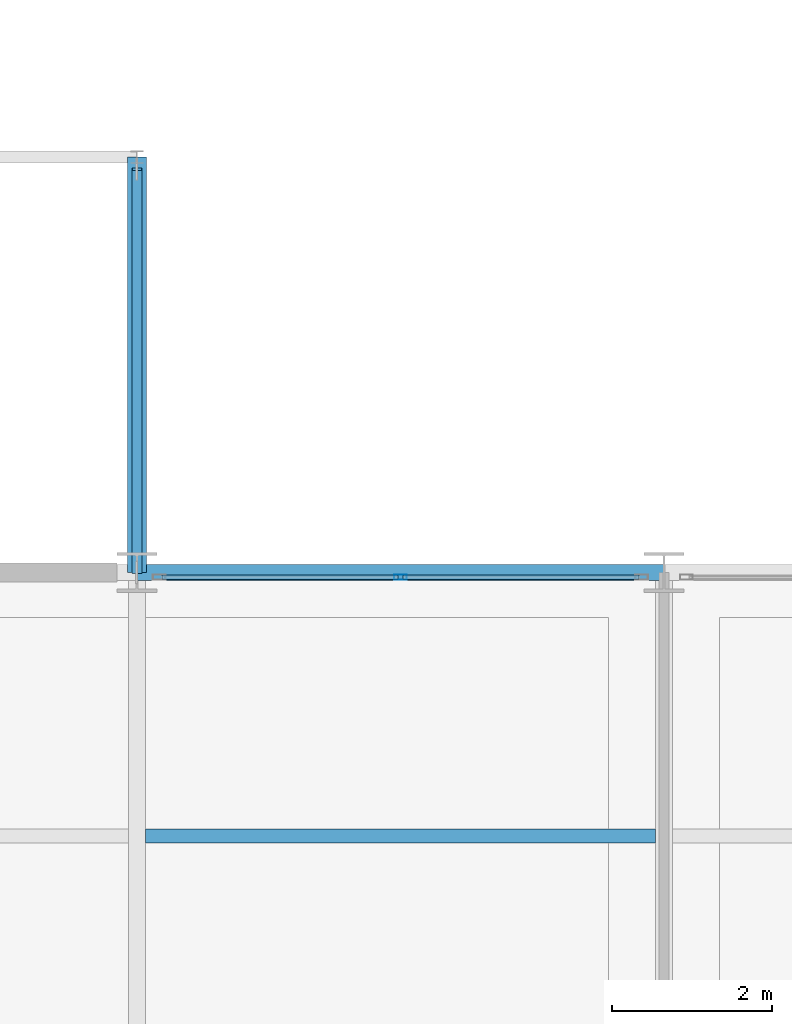
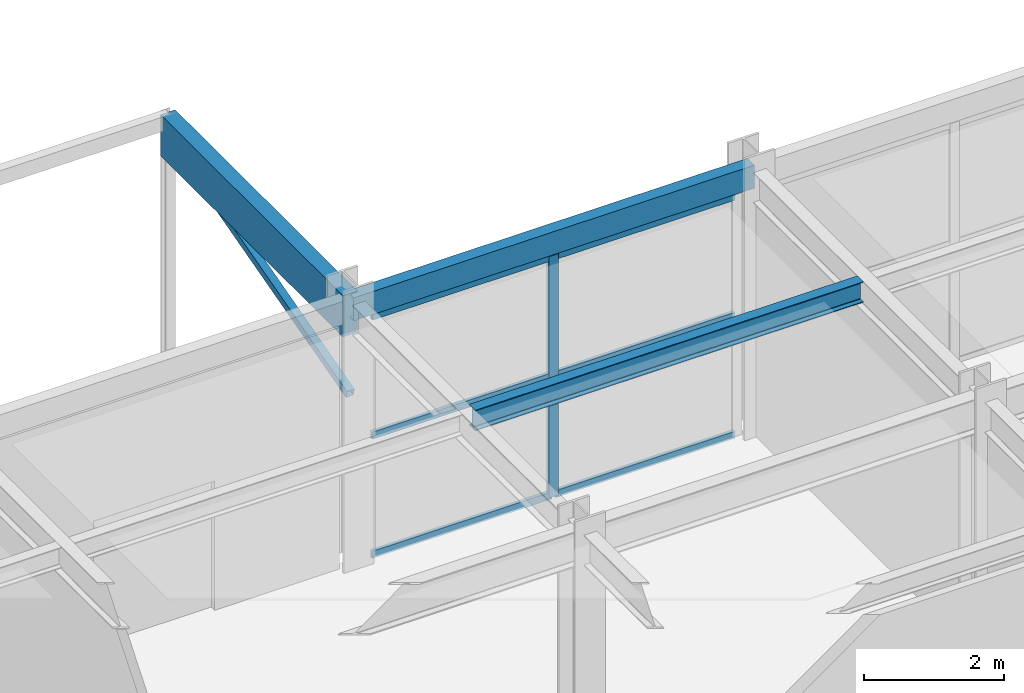
# One storey, part 60 of 144: 8 members, 3 beams, 1 element without a shape of its own.
"""IFC4 building model written with IfcOpenShell, lengths in metres."""

from ifc_helpers import new_model, si_unit, direction, frame, origin, origin_2d, place, context, subcontext, project, spatial, rectangle, hollow_rectangle, i_section, extrude, material, material_profile, profile_set, type_object, element, aggregate, save


model = new_model("IFC4")

# Units and contexts
model_context = context("Model", 3, precision=1e-05, world=origin(), true_north=direction((0.0, 1.0)))
body_context = subcontext(model_context, "Body", "Model", "MODEL_VIEW")
ifc_project = project(units=[si_unit("LENGTHUNIT", "METRE"), si_unit("AREAUNIT", "SQUARE_METRE"), si_unit("VOLUMEUNIT", "CUBIC_METRE"), si_unit("PLANEANGLEUNIT", "RADIAN"), si_unit("MASSUNIT", "GRAM", prefix="KILO")], contexts=[model_context])

# Site, building, storey
site_placement = place(None, origin())
site = spatial("IfcSite", under=ifc_project, at=site_placement, CompositionType="ELEMENT")
building_placement = place(site_placement, origin())
building = spatial("IfcBuilding", under=site, at=building_placement, Name="Karori Crest Natural Sciences Institute", CompositionType="ELEMENT")
storey_placement = place(building_placement, origin())
storey = spatial("IfcBuildingStorey", under=building, at=storey_placement, Name="L00", CompositionType="ELEMENT", Elevation=0.0)

# Beams
ifc_material_1 = material(Name="Structural steel AS/NZS 3679.1 Grade 350", Category="steel")
ifc_material_profile_1 = material_profile(ifc_material_1, i_section(OverallWidth=0.172119140625, OverallDepth=0.35888671875, WebThickness=0.008056640625, FlangeThickness=0.012939453125, FilletRadius=0.010986328125, at=origin_2d()), Name="360UB56.7")
ifc_profile_set_1 = profile_set([ifc_material_profile_1], Name="Structural steel AS/NZS 3679.1 Grade 350")
beam_type_1 = type_object("IfcBeamType", Name="BT-08", PredefinedType="BEAM", material=ifc_profile_set_1)
beam_1_placement = place(storey_placement, frame((123.50439453125, 17.300048828125, 4.4404296875), z_axis=(1.0, 0.0, 0.0), x_axis=(0.0, 1.0, 0.0)))
element("IfcBeam", 1, at=beam_1_placement, inside=storey, type_object=beam_type_1, Name="Beam B-2094", PredefinedType="BEAM", context=body_context, shape_type="SweptSolid", body=[
    extrude(i_section(OverallWidth=0.172119140625, OverallDepth=0.35888671875, WebThickness=0.008056640625, FlangeThickness=0.012939453125, FilletRadius=0.010986328125, at=origin_2d()), origin(), (0.0, 0.0, 1.0), 6.39111328125),
])
ifc_material_2 = material(Name="Hollow structural steel AS/NZS 1163 Grade C350", Category="steel")
ifc_material_profile_2 = material_profile(ifc_material_2, hollow_rectangle(XDim=0.199951171875, YDim=0.39990234375, WallThickness=0.012451171875, at=origin_2d()), Name="RHS400x200x12.5")
ifc_profile_set_2 = profile_set([ifc_material_profile_2], Name="Hollow structural steel AS/NZS 1163 Grade C350")
beam_type_2 = type_object("IfcBeamType", Name="BT-14", PredefinedType="SPANDREL", material=ifc_profile_set_2)
beam_2_placement = place(storey_placement, frame((123.39990234375, 20.60009765625, 4.419921875), z_axis=(1.0, 0.0, 0.0), x_axis=(0.0, 1.0, 0.0)))
element("IfcBeam", 2, at=beam_2_placement, inside=storey, type_object=beam_type_2, Name="Beam B-2049", PredefinedType="SPANDREL", context=body_context, shape_type="SweptSolid", body=[
    extrude(hollow_rectangle(XDim=0.199951171875, YDim=0.39990234375, WallThickness=0.012451171875, at=origin_2d()), origin(), (0.0, 0.0, 1.0), 6.60009765625),
])
ifc_material_3 = material(Name="Glulam GL12", Category="wood")
ifc_material_profile_3 = material_profile(ifc_material_3, rectangle(XDim=0.239990234375, YDim=0.719970703125, at=origin_2d()), Name="GL240x720")
ifc_profile_set_3 = profile_set([ifc_material_profile_3], Name="Glulam GL12")
beam_type_3 = type_object("IfcBeamType", Name="BT-26", PredefinedType="BEAM", material=ifc_profile_set_3)
beam_3_placement = place(storey_placement, frame((123.39990234375, 20.60009765625, 4.280029296875), z_axis=(0.0, 1.0, 0.0), x_axis=(-1.0, 0.0, 0.0)))
element("IfcBeam", 3, at=beam_3_placement, inside=storey, type_object=beam_type_3, Name="Beam B-2878", PredefinedType="BEAM", context=body_context, shape_type="SweptSolid", body=[
    extrude(rectangle(XDim=0.239990234375, YDim=0.719970703125, at=origin_2d()), origin(), (0.0, 0.0, 1.0), 5.199951171875),
])

# Curtain wall, members
ifc_material_4 = material(Name="Anodised architectural aluminium 6063-T6", Category="aluminium")
curtain_wall_type = type_object("IfcCurtainWallType", Name="CWT-20", PredefinedType="NOTDEFINED", material=ifc_material_4)
curtain_wall_placement = place(storey_placement, origin())
curtain_wall = element("IfcCurtainWall", 4, at=curtain_wall_placement, inside=storey, type_object=curtain_wall_type, Name="Curtain wall CW-0298", PredefinedType="NOTDEFINED")
ifc_material_profile_4 = material_profile(ifc_material_4, hollow_rectangle(XDim=0.06494140625, YDim=0.159912109375, WallThickness=0.00390625, at=origin_2d()), Name="CWM160x65x4")
ifc_profile_set_4 = profile_set([ifc_material_profile_4], Name="Anodised architectural aluminium 6063-T6")
member_type_1 = type_object("IfcMemberType", Name="CWM-01", PredefinedType="MULLION", material=ifc_profile_set_4)
member_1_placement = place(storey_placement, frame((126.699951171875, 20.5400390625, 0.0), z_axis=(0.0, 0.0, 1.0), x_axis=(0.0, 1.0, 0.0)))
member_1 = element("IfcMember", 5, at=member_1_placement, type_object=member_type_1, Name="CW-0298 mullion 2", PredefinedType="MULLION", context=body_context, shape_type="SweptSolid", body=[
    extrude(hollow_rectangle(XDim=0.06494140625, YDim=0.159912109375, WallThickness=0.00390625, at=origin_2d()), origin(), (0.0, 0.0, 1.0), 4.205078125),
])
ifc_material_profile_5 = material_profile(ifc_material_4, hollow_rectangle(XDim=0.06005859375, YDim=0.1201171875, WallThickness=0.00390625, at=origin_2d()), Name="CWT120x60x4")
ifc_profile_set_5 = profile_set([ifc_material_profile_5], Name="Anodised architectural aluminium 6063-T6")
member_type_2 = type_object("IfcMemberType", Name="CWT-TR1", PredefinedType="USERDEFINED", material=ifc_profile_set_5)
member_2_placement = place(storey_placement, frame((123.712890625, 20.5400390625, 0.030029296875), z_axis=(1.0, 0.0, 0.0), x_axis=(0.0, 1.0, 0.0)))
member_2 = element("IfcMember", 6, at=member_2_placement, type_object=member_type_2, Name="CW-0298 transom 1.1", ObjectType="TRANSOM", PredefinedType="USERDEFINED", context=body_context, shape_type="SweptSolid", body=[
    extrude(hollow_rectangle(XDim=0.06005859375, YDim=0.1201171875, WallThickness=0.00390625, at=origin_2d()), origin(), (0.0, 0.0, 1.0), 2.95458984375),
])
member_3_placement = place(storey_placement, frame((123.712890625, 20.5400390625, 2.1025390625), z_axis=(1.0, 0.0, 0.0), x_axis=(0.0, 1.0, 0.0)))
member_3 = element("IfcMember", 7, at=member_3_placement, type_object=member_type_2, Name="CW-0298 transom 1.2", ObjectType="TRANSOM", PredefinedType="USERDEFINED", context=body_context, shape_type="SweptSolid", body=[
    extrude(hollow_rectangle(XDim=0.06005859375, YDim=0.1201171875, WallThickness=0.00390625, at=origin_2d()), origin(), (0.0, 0.0, 1.0), 2.95458984375),
])
member_4_placement = place(storey_placement, frame((123.712890625, 20.5400390625, 4.175048828125), z_axis=(1.0, 0.0, 0.0), x_axis=(0.0, 1.0, 0.0)))
member_4 = element("IfcMember", 8, at=member_4_placement, type_object=member_type_2, Name="CW-0298 transom 1.3", ObjectType="TRANSOM", PredefinedType="USERDEFINED", context=body_context, shape_type="SweptSolid", body=[
    extrude(hollow_rectangle(XDim=0.06005859375, YDim=0.1201171875, WallThickness=0.00390625, at=origin_2d()), origin(), (0.0, 0.0, 1.0), 2.95458984375),
])
member_5_placement = place(storey_placement, frame((126.732421875, 20.5400390625, 0.030029296875), z_axis=(1.0, 0.0, 0.0), x_axis=(0.0, 1.0, 0.0)))
member_5 = element("IfcMember", 9, at=member_5_placement, type_object=member_type_2, Name="CW-0298 transom 2.1", ObjectType="TRANSOM", PredefinedType="USERDEFINED", context=body_context, shape_type="SweptSolid", body=[
    extrude(hollow_rectangle(XDim=0.06005859375, YDim=0.1201171875, WallThickness=0.00390625, at=origin_2d()), origin(), (0.0, 0.0, 1.0), 2.95458984375),
])
member_6_placement = place(storey_placement, frame((126.732421875, 20.5400390625, 2.1025390625), z_axis=(1.0, 0.0, 0.0), x_axis=(0.0, 1.0, 0.0)))
member_6 = element("IfcMember", 10, at=member_6_placement, type_object=member_type_2, Name="CW-0298 transom 2.2", ObjectType="TRANSOM", PredefinedType="USERDEFINED", context=body_context, shape_type="SweptSolid", body=[
    extrude(hollow_rectangle(XDim=0.06005859375, YDim=0.1201171875, WallThickness=0.00390625, at=origin_2d()), origin(), (0.0, 0.0, 1.0), 2.95458984375),
])
member_7_placement = place(storey_placement, frame((126.732421875, 20.5400390625, 4.175048828125), z_axis=(1.0, 0.0, 0.0), x_axis=(0.0, 1.0, 0.0)))
member_7 = element("IfcMember", 11, at=member_7_placement, type_object=member_type_2, Name="CW-0298 transom 2.3", ObjectType="TRANSOM", PredefinedType="USERDEFINED", context=body_context, shape_type="SweptSolid", body=[
    extrude(hollow_rectangle(XDim=0.06005859375, YDim=0.1201171875, WallThickness=0.00390625, at=origin_2d()), origin(), (0.0, 0.0, 1.0), 2.95458984375),
])
aggregate(curtain_wall, [member_1, member_2, member_3, member_4, member_5, member_6, member_7])

# Member
ifc_material_profile_6 = material_profile(ifc_material_2, hollow_rectangle(XDim=0.125, YDim=0.125, WallThickness=0.006103515625, at=origin_2d()), Name="SHS125x125x6")
ifc_profile_set_6 = profile_set([ifc_material_profile_6], Name="Hollow structural steel AS/NZS 1163 Grade C350")
member_type_3 = type_object("IfcMemberType", Name="MT-20", PredefinedType="STRUT", material=ifc_profile_set_6)
member_8_placement = place(storey_placement, frame((123.39990234375, 20.60009765625, 2.89990234375), z_axis=(0.0, 0.96462269799, 0.263634312113), x_axis=(-1.0, 0.0, 0.0)))
element("IfcMember", 12, at=member_8_placement, inside=storey, type_object=member_type_3, Name="Member M-0501", PredefinedType="STRUT", context=body_context, shape_type="SweptSolid", body=[
    extrude(hollow_rectangle(XDim=0.125, YDim=0.125, WallThickness=0.006103515625, at=origin_2d()), origin(), (0.0, 0.0, 1.0), 5.235107421875),
])

save(model, "model.ifc")
